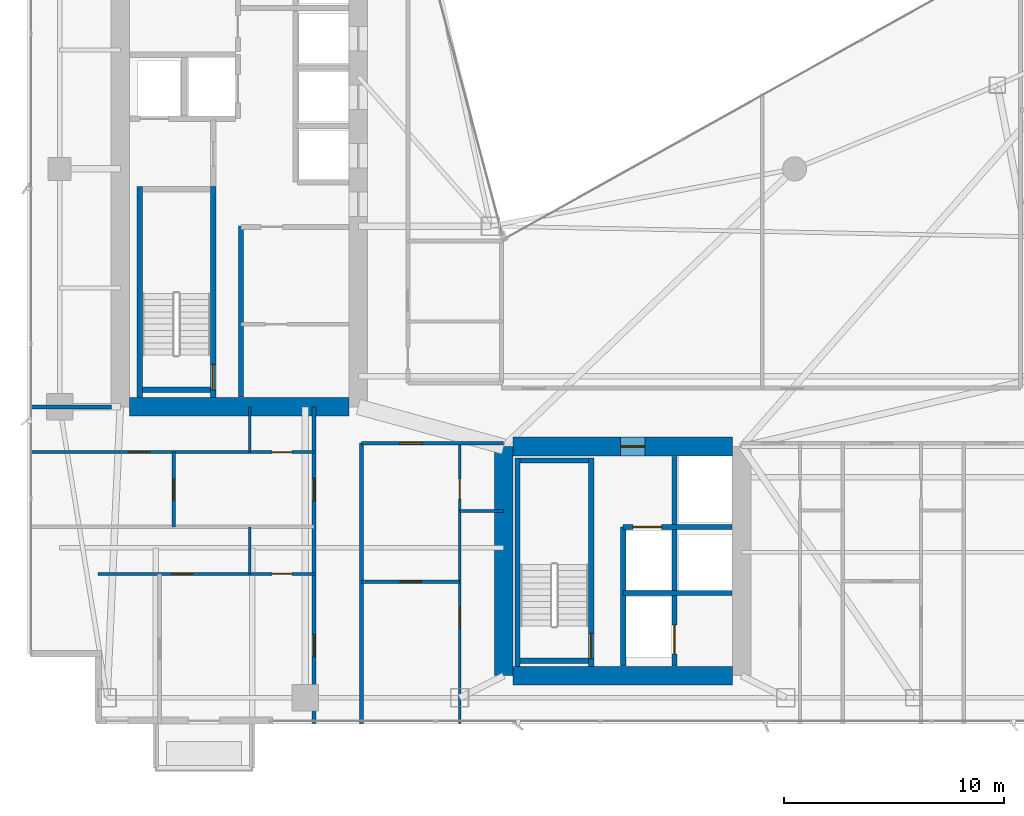
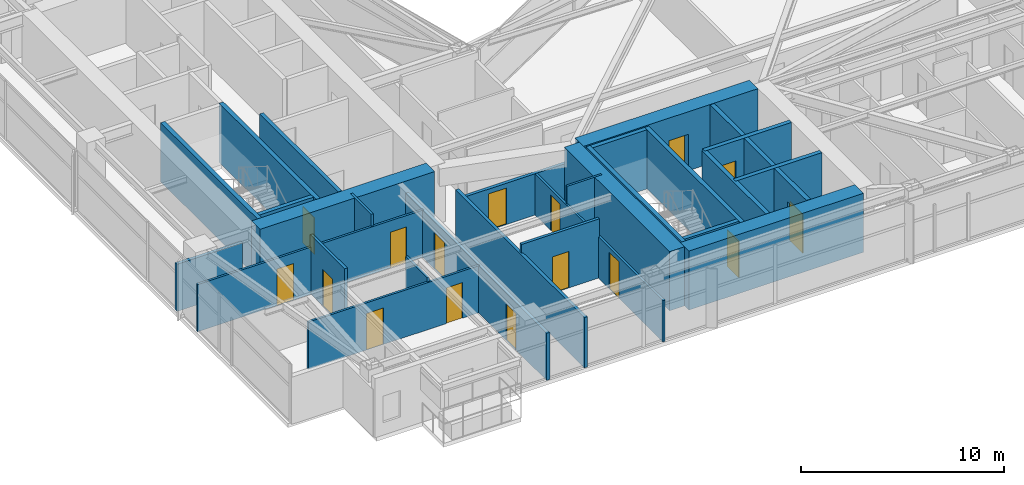
# One storey, part 22 of 29: 28 walls, 16 doors, 16 openings.
"""IFC4 building model written with IfcOpenShell, lengths in metres."""

from ifc_helpers import new_model, si_unit, direction, frame, frame_2d, origin, place, context, subcontext, project, spatial, rectangle, extrude, material, layer, layer_set, type_object, element, fill, save


model = new_model("IFC4")

# Units and contexts
model_context = context("Model", 3, precision=1e-05, world=origin(), true_north=direction((0.0, 1.0)))
body_context = subcontext(model_context, "Body", "Model", "MODEL_VIEW")
ifc_project = project(units=[si_unit("LENGTHUNIT", "METRE"), si_unit("AREAUNIT", "SQUARE_METRE"), si_unit("VOLUMEUNIT", "CUBIC_METRE"), si_unit("PLANEANGLEUNIT", "RADIAN"), si_unit("MASSUNIT", "GRAM", prefix="KILO")], contexts=[model_context])

# Site, building, storey
site_placement = place(None, origin())
site = spatial("IfcSite", under=ifc_project, at=site_placement, CompositionType="ELEMENT")
building_placement = place(site_placement, origin())
building = spatial("IfcBuilding", under=site, at=building_placement, Name="Calvorn Quay Hotel", CompositionType="ELEMENT")
storey_placement = place(building_placement, frame((0.0, 0.0, 105.0)))
storey = spatial("IfcBuildingStorey", under=building, at=storey_placement, Name="L25", CompositionType="ELEMENT", Elevation=105.0)

# Walls
ifc_material_1 = material(Name="Concrete C50", Category="concrete")
ifc_layer_1 = layer(ifc_material_1, 0.85009765625)
ifc_layer_set_1 = layer_set([ifc_layer_1], Name="WL-CORE-850")
wall_type_1 = type_object("IfcWallType", Name="WL-CORE-850", PredefinedType="SHEAR", material=ifc_layer_set_1)
wall_1_placement = place(storey_placement, frame((4.625, 16.800048828125, 0.0), z_axis=(0.0, 0.0, 1.0), x_axis=(1.0, 0.0, 0.0)))
element("IfcWall", 1, at=wall_1_placement, inside=storey, type_object=wall_type_1, Name="West Core Shear Wall S (L25)", PredefinedType="SHEAR", context=body_context, shape_type="SweptSolid", body=[
    extrude(rectangle(XDim=9.949951171875, YDim=0.85009765625, at=frame_2d((4.97509765625, 0.0))), origin(), (0.0, 0.0, 1.0), 3.56005859375),
])
wall_2_placement = place(storey_placement, frame((21.60009765625, 4.60009765625, 0.0), z_axis=(0.0, 0.0, 1.0), x_axis=(0.0, 1.0, 0.0)))
element("IfcWall", 2, at=wall_2_placement, inside=storey, type_object=wall_type_1, Name="East Core Shear Wall W (L25)", PredefinedType="SHEAR", context=body_context, shape_type="SweptSolid", body=[
    extrude(rectangle(XDim=10.39990234375, YDim=0.85009765625, at=frame_2d((5.199951171875, 0.0))), origin(), (0.0, 0.0, 1.0), 3.56005859375),
])

# Wall, opening, door
wall_3_placement = place(storey_placement, frame((22.02490234375, 15.0, 0.0), z_axis=(0.0, 0.0, 1.0), x_axis=(1.0, 0.0, 0.0)))
wall_3 = element("IfcWall", 3, at=wall_3_placement, inside=storey, type_object=wall_type_1, Name="East Core Shear Wall N (L25)", PredefinedType="SHEAR", context=body_context, shape_type="SweptSolid", body=[
    extrude(rectangle(XDim=9.9501953125, YDim=0.85009765625, at=frame_2d((4.97509765625, 0.0))), origin(), (0.0, 0.0, 1.0), 3.56005859375),
])
opening_1_placement = place(wall_3_placement, frame((4.8798828125, 0.0, 0.0)))
opening_1 = element("IfcOpeningElement", 4, at=opening_1_placement, cuts=wall_3, Name="Opening D-L25-FLE", PredefinedType="OPENING", context=body_context, shape_type="SweptSolid", body=[
    extrude(rectangle(XDim=1.10009765625, YDim=2.199951171875, at=frame_2d((0.550048828125, 1.10009765625))), frame((0.0, 0.43505859375, 0.0), z_axis=(0.0, -1.0, 0.0), x_axis=(1.0, 0.0, 0.0)), (0.0, 0.0, 1.0), 0.8701171875),
])
ifc_material_2 = material(Name="Smoke-Sealed Steel Class A Fire Door", Category="steel")
door_type_1 = type_object("IfcDoorType", Name="DR-FFLOBBY-1100", OperationType="NOTDEFINED", PredefinedType="DOOR", material=ifc_material_2)
door_1_placement = place(opening_1_placement, origin())
door_1 = element("IfcDoor", 5, at=door_1_placement, inside=storey, type_object=door_type_1, Name="East Firefighting Lobby Fire Door (L25)", OperationType="SINGLE_SWING_LEFT", OverallHeight=2.199951171875, OverallWidth=1.10009765625, PredefinedType="DOOR", context=body_context, shape_type="SweptSolid", body=[
    extrude(rectangle(XDim=1.10009765625, YDim=2.199951171875, at=frame_2d((0.550048828125, 1.10009765625))), frame((0.0, 0.02490234375, 0.0), z_axis=(0.0, -1.0, 0.0), x_axis=(1.0, 0.0, 0.0)), (0.0, 0.0, 1.0), 0.050048828125),
])
fill(opening_1, door_1)

# Walls
wall_4_placement = place(storey_placement, frame((22.02490234375, 4.60009765625, 0.0), z_axis=(0.0, 0.0, 1.0), x_axis=(1.0, 0.0, 0.0)))
element("IfcWall", 6, at=wall_4_placement, inside=storey, type_object=wall_type_1, Name="East Core Shear Wall S (L25)", PredefinedType="SHEAR", context=body_context, shape_type="SweptSolid", body=[
    extrude(rectangle(XDim=9.9501953125, YDim=0.85009765625, at=frame_2d((4.97509765625, 0.0))), origin(), (0.0, 0.0, 1.0), 3.56005859375),
])
ifc_material_3 = material(Name="Acoustic Fireboard Steel-Stud Partition", Category="steel")
ifc_layer_2 = layer(ifc_material_3, 0.179931640625)
ifc_layer_set_2 = layer_set([ifc_layer_2], Name="WL-CORR-FIRE-180")
wall_type_2 = type_object("IfcWallType", Name="WL-CORR-FIRE-180", PredefinedType="PARTITIONING", material=ifc_layer_set_2)
wall_5_placement = place(storey_placement, frame((0.080078125, 16.800048828125, 0.0), z_axis=(0.0, 0.0, 1.0), x_axis=(1.0, 0.0, 0.0)))
element("IfcWall", 7, at=wall_5_placement, inside=storey, type_object=wall_type_2, Name="Partition Wall L25-WL-WBAY-S-WALL", PredefinedType="PARTITIONING", context=body_context, shape_type="SweptSolid", body=[
    extrude(rectangle(XDim=3.724853515625, YDim=0.179931640625, at=frame_2d((1.8623046875, 0.0))), origin(), (0.0, 0.0, 1.0), 2.840087890625),
])

# Wall, openings, doors
wall_6_placement = place(storey_placement, frame((13.0, 2.43994140625, 0.0), z_axis=(0.0, 0.0, 1.0), x_axis=(0.0, 1.0, 0.0)))
wall_6 = element("IfcWall", 8, at=wall_6_placement, inside=storey, type_object=wall_type_2, Name="Partition Wall L25-WL-CORR-SW-LEG-W", PredefinedType="PARTITIONING", context=body_context, shape_type="SweptSolid", body=[
    extrude(rectangle(XDim=14.360107421875, YDim=0.179931640625, at=frame_2d((7.18017578125, 0.0))), origin(), (0.0, 0.0, 1.0), 2.840087890625),
])
opening_2_placement = place(wall_6_placement, frame((3.010009765625, 0.0, 0.0)))
opening_2 = element("IfcOpeningElement", 9, at=opening_2_placement, cuts=wall_6, Name="Opening D-L25-U01", PredefinedType="OPENING", context=body_context, shape_type="SweptSolid", body=[
    extrude(rectangle(XDim=1.02001953125, YDim=2.199951171875, at=frame_2d((0.510009765625, 1.10009765625))), frame((0.0, 0.099853515625, 0.0), z_axis=(0.0, -1.0, 0.0), x_axis=(1.0, 0.0, 0.0)), (0.0, 0.0, 1.0), 0.199951171875),
])
opening_3_placement = place(wall_6_placement, frame((10.10009765625, 0.0, 0.0)))
opening_3 = element("IfcOpeningElement", 10, at=opening_3_placement, cuts=wall_6, Name="Opening D-L25-U02", PredefinedType="OPENING", context=body_context, shape_type="SweptSolid", body=[
    extrude(rectangle(XDim=1.02001953125, YDim=2.199951171875, at=frame_2d((0.510009765625, 1.10009765625))), frame((0.0, 0.099853515625, 0.0), z_axis=(0.0, -1.0, 0.0), x_axis=(1.0, 0.0, 0.0)), (0.0, 0.0, 1.0), 0.199951171875),
])
ifc_material_4 = material(Name="Solid-Core Walnut Veneer Hotel Fire Door")
door_type_2 = type_object("IfcDoorType", Name="DR-GUEST-ENTRY-1020", OperationType="NOTDEFINED", PredefinedType="DOOR", material=ifc_material_4)
door_2_placement = place(opening_2_placement, origin())
door_2 = element("IfcDoor", 11, at=door_2_placement, inside=storey, type_object=door_type_2, Name="South-West Unit Door U01 (L25)", OperationType="SINGLE_SWING_LEFT", OverallHeight=2.199951171875, OverallWidth=1.02001953125, PredefinedType="DOOR", context=body_context, shape_type="SweptSolid", body=[
    extrude(rectangle(XDim=1.02001953125, YDim=2.199951171875, at=frame_2d((0.510009765625, 1.10009765625))), frame((0.0, 0.02490234375, 0.0), z_axis=(0.0, -1.0, 0.0), x_axis=(1.0, 0.0, 0.0)), (0.0, 0.0, 1.0), 0.050048828125),
])
fill(opening_2, door_2)
door_3_placement = place(opening_3_placement, origin())
door_3 = element("IfcDoor", 12, at=door_3_placement, inside=storey, type_object=door_type_2, Name="South-West Unit Door U02 (L25)", OperationType="SINGLE_SWING_RIGHT", OverallHeight=2.199951171875, OverallWidth=1.02001953125, PredefinedType="DOOR", context=body_context, shape_type="SweptSolid", body=[
    extrude(rectangle(XDim=1.02001953125, YDim=2.199951171875, at=frame_2d((0.510009765625, 1.10009765625))), frame((0.0, 0.02490234375, 0.0), z_axis=(0.0, -1.0, 0.0), x_axis=(1.0, 0.0, 0.0)), (0.0, 0.0, 1.0), 0.050048828125),
])
fill(opening_3, door_3)

# Wall
wall_7_placement = place(storey_placement, frame((15.14990234375, 2.43994140625, 0.0), z_axis=(0.0, 0.0, 1.0), x_axis=(0.0, 1.0, 0.0)))
element("IfcWall", 13, at=wall_7_placement, inside=storey, type_object=wall_type_2, Name="Partition Wall L25-WL-CORR-SW-W", PredefinedType="PARTITIONING", context=body_context, shape_type="SweptSolid", body=[
    extrude(rectangle(XDim=12.7099609375, YDim=0.179931640625, at=frame_2d((6.35498046875, 0.0))), origin(), (0.0, 0.0, 1.0), 3.0400390625),
])

# Wall, opening, door
wall_8_placement = place(storey_placement, frame((15.14990234375, 15.14990234375, 0.0), z_axis=(0.0, 0.0, 1.0), x_axis=(1.0, 0.0, 0.0)))
wall_8 = element("IfcWall", 14, at=wall_8_placement, inside=storey, type_object=wall_type_2, Name="Partition Wall L25-WL-SC-CORR-S", PredefinedType="PARTITIONING", context=body_context, shape_type="SweptSolid", body=[
    extrude(rectangle(XDim=6.4501953125, YDim=0.179931640625, at=frame_2d((3.22509765625, 0.0))), origin(), (0.0, 0.0, 1.0), 2.489990234375),
])
opening_4_placement = place(wall_8_placement, frame((1.739990234375, 0.0, 0.0)))
opening_4 = element("IfcOpeningElement", 15, at=opening_4_placement, cuts=wall_8, Name="Opening D-L25-U03", PredefinedType="OPENING", context=body_context, shape_type="SweptSolid", body=[
    extrude(rectangle(XDim=1.02001953125, YDim=2.199951171875, at=frame_2d((0.510009765625, 1.10009765625))), frame((0.0, 0.099853515625, 0.0), z_axis=(0.0, -1.0, 0.0), x_axis=(1.0, 0.0, 0.0)), (0.0, 0.0, 1.0), 0.199951171875),
])
door_4_placement = place(opening_4_placement, origin())
door_4 = element("IfcDoor", 16, at=door_4_placement, inside=storey, type_object=door_type_2, Name="Harbour Central Unit Door (L25)", OperationType="SINGLE_SWING_LEFT", OverallHeight=2.199951171875, OverallWidth=1.02001953125, PredefinedType="DOOR", context=body_context, shape_type="SweptSolid", body=[
    extrude(rectangle(XDim=1.02001953125, YDim=2.199951171875, at=frame_2d((0.510009765625, 1.10009765625))), frame((0.0, 0.02490234375, 0.0), z_axis=(0.0, -1.0, 0.0), x_axis=(1.0, 0.0, 0.0)), (0.0, 0.0, 1.0), 0.050048828125),
])
fill(opening_4, door_4)

# Wall
ifc_material_5 = material(Name="Moisture-Resistant Tile-Backed Partition")
ifc_layer_3 = layer(ifc_material_5, 0.125)
ifc_layer_set_3 = layer_set([ifc_layer_3], Name="WL-ENSUITE-125")
wall_type_3 = type_object("IfcWallType", Name="WL-ENSUITE-125", PredefinedType="PARTITIONING", material=ifc_layer_set_3)
wall_9_placement = place(storey_placement, frame((10.080078125, 9.219970703125, 0.0), z_axis=(0.0, 0.0, 1.0), x_axis=(0.0, 1.0, 0.0)))
element("IfcWall", 17, at=wall_9_placement, inside=storey, type_object=wall_type_3, Name="Partition Wall L25-WL-U01-BDV", PredefinedType="PARTITIONING", context=body_context, shape_type="SweptSolid", body=[
    extrude(rectangle(XDim=2.130126953125, YDim=0.125, at=frame_2d((1.06494140625, 0.0))), origin(), (0.0, 0.0, 1.0), 3.090087890625),
])

# Wall, openings, doors
wall_10_placement = place(storey_placement, frame((3.199951171875, 9.219970703125, 0.0), z_axis=(0.0, 0.0, 1.0), x_axis=(1.0, 0.0, 0.0)))
wall_10 = element("IfcWall", 18, at=wall_10_placement, inside=storey, type_object=wall_type_3, Name="Partition Wall L25-WL-U01-BH", PredefinedType="PARTITIONING", context=body_context, shape_type="SweptSolid", body=[
    extrude(rectangle(XDim=9.800048828125, YDim=0.125, at=frame_2d((4.89990234375, 0.0))), origin(), (0.0, 0.0, 1.0), 2.840087890625),
])
opening_5_placement = place(wall_10_placement, frame((3.320068359375, 0.0, 0.0)))
opening_5 = element("IfcOpeningElement", 19, at=opening_5_placement, cuts=wall_10, Name="Opening D-L25-S01", PredefinedType="OPENING", context=body_context, shape_type="SweptSolid", body=[
    extrude(rectangle(XDim=0.9599609375, YDim=2.199951171875, at=frame_2d((0.47998046875, 1.10009765625))), frame((0.0, 0.072509765625, 0.0), z_axis=(0.0, -1.0, 0.0), x_axis=(1.0, 0.0, 0.0)), (0.0, 0.0, 1.0), 0.14501953125),
])
opening_6_placement = place(wall_10_placement, frame((7.889892578125, 0.0, 0.0)))
opening_6 = element("IfcOpeningElement", 20, at=opening_6_placement, cuts=wall_10, Name="Opening D-L25-E01", PredefinedType="OPENING", context=body_context, shape_type="SweptSolid", body=[
    extrude(rectangle(XDim=0.89990234375, YDim=2.14990234375, at=frame_2d((0.449951171875, 1.074951171875))), frame((0.0, 0.072509765625, 0.0), z_axis=(0.0, -1.0, 0.0), x_axis=(1.0, 0.0, 0.0)), (0.0, 0.0, 1.0), 0.14501953125),
])
ifc_material_6 = material(Name="Moisture-Sealed Timber En-Suite Door", Category="wood")
door_type_3 = type_object("IfcDoorType", Name="DR-ENSUITE-900", OperationType="NOTDEFINED", PredefinedType="DOOR", material=ifc_material_6)
door_5_placement = place(opening_6_placement, origin())
door_5 = element("IfcDoor", 21, at=door_5_placement, inside=storey, type_object=door_type_3, Name="En-Suite Door 01", OperationType="SINGLE_SWING_RIGHT", OverallHeight=2.14990234375, OverallWidth=0.89990234375, PredefinedType="DOOR", context=body_context, shape_type="SweptSolid", body=[
    extrude(rectangle(XDim=0.89990234375, YDim=2.14990234375, at=frame_2d((0.449951171875, 1.074951171875))), frame((0.0, 0.02490234375, 0.0), z_axis=(0.0, -1.0, 0.0), x_axis=(1.0, 0.0, 0.0)), (0.0, 0.0, 1.0), 0.050048828125),
])
fill(opening_6, door_5)
ifc_material_7 = material(Name="Solid Timber Internal Suite Door", Category="wood")
door_type_4 = type_object("IfcDoorType", Name="DR-SUITE-INT-960", OperationType="NOTDEFINED", PredefinedType="DOOR", material=ifc_material_7)
door_6_placement = place(opening_5_placement, origin())
door_6 = element("IfcDoor", 22, at=door_6_placement, inside=storey, type_object=door_type_4, Name="Harbour Dining Den Door 01", OperationType="SINGLE_SWING_LEFT", OverallHeight=2.199951171875, OverallWidth=0.9599609375, PredefinedType="DOOR", context=body_context, shape_type="SweptSolid", body=[
    extrude(rectangle(XDim=0.9599609375, YDim=2.199951171875, at=frame_2d((0.47998046875, 1.10009765625))), frame((0.0, 0.02490234375, 0.0), z_axis=(0.0, -1.0, 0.0), x_axis=(1.0, 0.0, 0.0)), (0.0, 0.0, 1.0), 0.050048828125),
])
fill(opening_5, door_6)

# Wall
wall_11_placement = place(storey_placement, frame((10.080078125, 14.75, 0.0), z_axis=(0.0, 0.0, 1.0), x_axis=(0.0, 1.0, 0.0)))
element("IfcWall", 23, at=wall_11_placement, inside=storey, type_object=wall_type_3, Name="Partition Wall L25-WL-U02-BDV", PredefinedType="PARTITIONING", context=body_context, shape_type="SweptSolid", body=[
    extrude(rectangle(XDim=2.050048828125, YDim=0.125, at=frame_2d((1.02490234375, 0.0))), origin(), (0.0, 0.0, 1.0), 3.56005859375),
])

# Wall, openings, doors
wall_12_placement = place(storey_placement, frame((0.080078125, 14.75, 0.0), z_axis=(0.0, 0.0, 1.0), x_axis=(1.0, 0.0, 0.0)))
wall_12 = element("IfcWall", 24, at=wall_12_placement, inside=storey, type_object=wall_type_3, Name="Partition Wall L25-WL-U02-BH", PredefinedType="PARTITIONING", context=body_context, shape_type="SweptSolid", body=[
    extrude(rectangle(XDim=12.919921875, YDim=0.125, at=frame_2d((6.4599609375, 0.0))), origin(), (0.0, 0.0, 1.0), 2.840087890625),
])
opening_7_placement = place(wall_12_placement, frame((4.52001953125, 0.0, 0.0)))
opening_7 = element("IfcOpeningElement", 25, at=opening_7_placement, cuts=wall_12, Name="Opening D-L25-S02", PredefinedType="OPENING", context=body_context, shape_type="SweptSolid", body=[
    extrude(rectangle(XDim=0.9599609375, YDim=2.199951171875, at=frame_2d((0.47998046875, 1.10009765625))), frame((0.0, 0.072509765625, 0.0), z_axis=(0.0, -1.0, 0.0), x_axis=(1.0, 0.0, 0.0)), (0.0, 0.0, 1.0), 0.14501953125),
])
opening_8_placement = place(wall_12_placement, frame((11.010009765625, 0.0, 0.0)))
opening_8 = element("IfcOpeningElement", 26, at=opening_8_placement, cuts=wall_12, Name="Opening D-L25-E02", PredefinedType="OPENING", context=body_context, shape_type="SweptSolid", body=[
    extrude(rectangle(XDim=0.89990234375, YDim=2.14990234375, at=frame_2d((0.449951171875, 1.074951171875))), frame((0.0, 0.072509765625, 0.0), z_axis=(0.0, -1.0, 0.0), x_axis=(1.0, 0.0, 0.0)), (0.0, 0.0, 1.0), 0.14501953125),
])
door_7_placement = place(opening_8_placement, origin())
door_7 = element("IfcDoor", 27, at=door_7_placement, inside=storey, type_object=door_type_3, Name="En-Suite Door 02", OperationType="SINGLE_SWING_RIGHT", OverallHeight=2.14990234375, OverallWidth=0.89990234375, PredefinedType="DOOR", context=body_context, shape_type="SweptSolid", body=[
    extrude(rectangle(XDim=0.89990234375, YDim=2.14990234375, at=frame_2d((0.449951171875, 1.074951171875))), frame((0.0, 0.02490234375, 0.0), z_axis=(0.0, -1.0, 0.0), x_axis=(1.0, 0.0, 0.0)), (0.0, 0.0, 1.0), 0.050048828125),
])
fill(opening_8, door_7)
door_8_placement = place(opening_7_placement, origin())
door_8 = element("IfcDoor", 28, at=door_8_placement, inside=storey, type_object=door_type_4, Name="Harbour Dining Den Door 02", OperationType="SINGLE_SWING_LEFT", OverallHeight=2.199951171875, OverallWidth=0.9599609375, PredefinedType="DOOR", context=body_context, shape_type="SweptSolid", body=[
    extrude(rectangle(XDim=0.9599609375, YDim=2.199951171875, at=frame_2d((0.47998046875, 1.10009765625))), frame((0.0, 0.02490234375, 0.0), z_axis=(0.0, -1.0, 0.0), x_axis=(1.0, 0.0, 0.0)), (0.0, 0.0, 1.0), 0.050048828125),
])
fill(opening_7, door_8)

# Wall
wall_13_placement = place(storey_placement, frame((19.60009765625, 12.070068359375, 0.0), z_axis=(0.0, 0.0, 1.0), x_axis=(1.0, 0.0, 0.0)))
element("IfcWall", 29, at=wall_13_placement, inside=storey, type_object=wall_type_3, Name="Partition Wall L25-WL-U03-BDV", PredefinedType="PARTITIONING", context=body_context, shape_type="SweptSolid", body=[
    extrude(rectangle(XDim=2.0, YDim=0.125, at=frame_2d((1.0, 0.0))), origin(), (0.0, 0.0, 1.0), 3.56005859375),
])

# Wall, openings, doors
wall_14_placement = place(storey_placement, frame((19.60009765625, 2.43994140625, 0.0), z_axis=(0.0, 0.0, 1.0), x_axis=(0.0, 1.0, 0.0)))
wall_14 = element("IfcWall", 30, at=wall_14_placement, inside=storey, type_object=wall_type_3, Name="Partition Wall L25-WL-U03-BV", PredefinedType="PARTITIONING", context=body_context, shape_type="SweptSolid", body=[
    extrude(rectangle(XDim=12.7099609375, YDim=0.125, at=frame_2d((6.35498046875, 0.0))), origin(), (0.0, 0.0, 1.0), 2.489990234375),
])
opening_9_placement = place(wall_14_placement, frame((4.340087890625, 0.0, 0.0)))
opening_9 = element("IfcOpeningElement", 31, at=opening_9_placement, cuts=wall_14, Name="Opening D-L25-S03", PredefinedType="OPENING", context=body_context, shape_type="SweptSolid", body=[
    extrude(rectangle(XDim=0.9599609375, YDim=2.199951171875, at=frame_2d((0.47998046875, 1.10009765625))), frame((0.0, 0.072509765625, 0.0), z_axis=(0.0, -1.0, 0.0), x_axis=(1.0, 0.0, 0.0)), (0.0, 0.0, 1.0), 0.14501953125),
])
opening_10_placement = place(wall_14_placement, frame((10.179931640625, 0.0, 0.0)))
opening_10 = element("IfcOpeningElement", 32, at=opening_10_placement, cuts=wall_14, Name="Opening D-L25-E03", PredefinedType="OPENING", context=body_context, shape_type="SweptSolid", body=[
    extrude(rectangle(XDim=0.89990234375, YDim=2.14990234375, at=frame_2d((0.449951171875, 1.074951171875))), frame((0.0, 0.072509765625, 0.0), z_axis=(0.0, -1.0, 0.0), x_axis=(1.0, 0.0, 0.0)), (0.0, 0.0, 1.0), 0.14501953125),
])
door_9_placement = place(opening_10_placement, origin())
door_9 = element("IfcDoor", 33, at=door_9_placement, inside=storey, type_object=door_type_3, Name="En-Suite Door 03", OperationType="SINGLE_SWING_RIGHT", OverallHeight=2.14990234375, OverallWidth=0.89990234375, PredefinedType="DOOR", context=body_context, shape_type="SweptSolid", body=[
    extrude(rectangle(XDim=0.89990234375, YDim=2.14990234375, at=frame_2d((0.449951171875, 1.074951171875))), frame((0.0, 0.02490234375, 0.0), z_axis=(0.0, -1.0, 0.0), x_axis=(1.0, 0.0, 0.0)), (0.0, 0.0, 1.0), 0.050048828125),
])
fill(opening_10, door_9)
door_10_placement = place(opening_9_placement, origin())
door_10 = element("IfcDoor", 34, at=door_10_placement, inside=storey, type_object=door_type_4, Name="Harbour Dining Den Door 03", OperationType="SINGLE_SWING_LEFT", OverallHeight=2.199951171875, OverallWidth=0.9599609375, PredefinedType="DOOR", context=body_context, shape_type="SweptSolid", body=[
    extrude(rectangle(XDim=0.9599609375, YDim=2.199951171875, at=frame_2d((0.47998046875, 1.10009765625))), frame((0.0, 0.02490234375, 0.0), z_axis=(0.0, -1.0, 0.0), x_axis=(1.0, 0.0, 0.0)), (0.0, 0.0, 1.0), 0.050048828125),
])
fill(opening_9, door_10)

# Wall, opening, door
ifc_material_8 = material(Name="Double-Stud Acoustic Gypsum Partition")
ifc_layer_4 = layer(ifc_material_8, 0.159912109375)
ifc_layer_set_4 = layer_set([ifc_layer_4], Name="WL-INTERSUITE-160")
wall_type_4 = type_object("IfcWallType", Name="WL-INTERSUITE-160", PredefinedType="PARTITIONING", material=ifc_layer_set_4)
wall_15_placement = place(storey_placement, frame((6.6201171875, 11.35009765625, 0.0), z_axis=(0.0, 0.0, 1.0), x_axis=(0.0, 1.0, 0.0)))
wall_15 = element("IfcWall", 35, at=wall_15_placement, inside=storey, type_object=wall_type_4, Name="Partition Wall L25-WL-U02-MSP", PredefinedType="PARTITIONING", context=body_context, shape_type="SweptSolid", body=[
    extrude(rectangle(XDim=3.39990234375, YDim=0.159912109375, at=frame_2d((1.699951171875, 0.0))), origin(), (0.0, 0.0, 1.0), 3.56005859375),
])
opening_11_placement = place(wall_15_placement, frame((1.219970703125, 0.0, 0.0)))
opening_11 = element("IfcOpeningElement", 36, at=opening_11_placement, cuts=wall_15, Name="Opening D-L25-M02", PredefinedType="OPENING", context=body_context, shape_type="SweptSolid", body=[
    extrude(rectangle(XDim=0.9599609375, YDim=2.199951171875, at=frame_2d((0.47998046875, 1.10009765625))), frame((0.0, 0.08984375, 0.0), z_axis=(0.0, -1.0, 0.0), x_axis=(1.0, 0.0, 0.0)), (0.0, 0.0, 1.0), 0.179931640625),
])
door_11_placement = place(opening_11_placement, origin())
door_11 = element("IfcDoor", 37, at=door_11_placement, inside=storey, type_object=door_type_4, Name="Suite Bedroom Door 02", OperationType="SINGLE_SWING_LEFT", OverallHeight=2.199951171875, OverallWidth=0.9599609375, PredefinedType="DOOR", context=body_context, shape_type="SweptSolid", body=[
    extrude(rectangle(XDim=0.9599609375, YDim=2.199951171875, at=frame_2d((0.47998046875, 1.10009765625))), frame((0.0, 0.02490234375, 0.0), z_axis=(0.0, -1.0, 0.0), x_axis=(1.0, 0.0, 0.0)), (0.0, 0.0, 1.0), 0.050048828125),
])
fill(opening_11, door_11)

wall_16_placement = place(storey_placement, frame((15.14990234375, 8.8701171875, 0.0), z_axis=(0.0, 0.0, 1.0), x_axis=(1.0, 0.0, 0.0)))
wall_16 = element("IfcWall", 38, at=wall_16_placement, inside=storey, type_object=wall_type_4, Name="Partition Wall L25-WL-U03-MSP", PredefinedType="PARTITIONING", context=body_context, shape_type="SweptSolid", body=[
    extrude(rectangle(XDim=4.4501953125, YDim=0.159912109375, at=frame_2d((2.22509765625, 0.0))), origin(), (0.0, 0.0, 1.0), 3.56005859375),
])
opening_12_placement = place(wall_16_placement, frame((1.75, 0.0, 0.0)))
opening_12 = element("IfcOpeningElement", 39, at=opening_12_placement, cuts=wall_16, Name="Opening D-L25-M03", PredefinedType="OPENING", context=body_context, shape_type="SweptSolid", body=[
    extrude(rectangle(XDim=0.9599609375, YDim=2.199951171875, at=frame_2d((0.47998046875, 1.10009765625))), frame((0.0, 0.08984375, 0.0), z_axis=(0.0, -1.0, 0.0), x_axis=(1.0, 0.0, 0.0)), (0.0, 0.0, 1.0), 0.179931640625),
])
door_12_placement = place(opening_12_placement, origin())
door_12 = element("IfcDoor", 40, at=door_12_placement, inside=storey, type_object=door_type_4, Name="Suite Bedroom Door 03", OperationType="SINGLE_SWING_LEFT", OverallHeight=2.199951171875, OverallWidth=0.9599609375, PredefinedType="DOOR", context=body_context, shape_type="SweptSolid", body=[
    extrude(rectangle(XDim=0.9599609375, YDim=2.199951171875, at=frame_2d((0.47998046875, 1.10009765625))), frame((0.0, 0.02490234375, 0.0), z_axis=(0.0, -1.0, 0.0), x_axis=(1.0, 0.0, 0.0)), (0.0, 0.0, 1.0), 0.050048828125),
])
fill(opening_12, door_12)

# Walls
ifc_material_9 = material(Name="Autoclaved Aerated Masonry Block", Category="masonry")
ifc_layer_5 = layer(ifc_material_9, 0.219970703125)
ifc_layer_set_5 = layer_set([ifc_layer_5], Name="WL-LOBBY-FIRE-220")
wall_type_5 = type_object("IfcWallType", Name="WL-LOBBY-FIRE-220", PredefinedType="SOLIDWALL", material=ifc_layer_set_5)
wall_17_placement = place(storey_placement, frame((9.679931640625, 17.2451171875, 0.0), z_axis=(0.0, 0.0, 1.0), x_axis=(0.0, 1.0, 0.0)))
element("IfcWall", 41, at=wall_17_placement, inside=storey, type_object=wall_type_5, Name="Partition Wall L25-WL-CWW-STW-HALL-E", PredefinedType="SOLIDWALL", context=body_context, shape_type="SweptSolid", body=[
    extrude(rectangle(XDim=7.7548828125, YDim=0.219970703125, at=frame_2d((3.87744140625, 0.0))), origin(), (0.0, 0.0, 1.0), 3.56005859375),
])
ifc_material_10 = material(Name="Concrete C40", Category="concrete")
ifc_layer_6 = layer(ifc_material_10, 0.239990234375)
ifc_layer_set_6 = layer_set([ifc_layer_6], Name="WL-SHAFT-240")
wall_type_6 = type_object("IfcWallType", Name="WL-SHAFT-240", PredefinedType="SOLIDWALL", material=ifc_layer_set_6)
wall_18_placement = place(storey_placement, frame((5.080078125, 17.22509765625, 0.0), z_axis=(0.0, 0.0, 1.0), x_axis=(0.0, 1.0, 0.0)))
element("IfcWall", 42, at=wall_18_placement, inside=storey, type_object=wall_type_6, Name="Stair STW Shaft Wall W (L25)", PredefinedType="SOLIDWALL", context=body_context, shape_type="SweptSolid", body=[
    extrude(rectangle(XDim=9.56494140625, YDim=0.239990234375, at=frame_2d((4.782470703125, 0.0))), origin(), (0.0, 0.0, 1.0), 3.56005859375),
])

# Wall, opening, door
wall_19_placement = place(storey_placement, frame((8.419921875, 17.22509765625, 0.0), z_axis=(0.0, 0.0, 1.0), x_axis=(0.0, 1.0, 0.0)))
wall_19 = element("IfcWall", 43, at=wall_19_placement, inside=storey, type_object=wall_type_6, Name="Stair STW Shaft Wall E (L25)", PredefinedType="SOLIDWALL", context=body_context, shape_type="SweptSolid", body=[
    extrude(rectangle(XDim=9.56494140625, YDim=0.239990234375, at=frame_2d((4.782470703125, 0.0))), origin(), (0.0, 0.0, 1.0), 3.56005859375),
])
opening_13_placement = place(wall_19_placement, frame((0.35009765625, 0.0, 0.0)))
opening_13 = element("IfcOpeningElement", 44, at=opening_13_placement, cuts=wall_19, Name="Opening D-L25-STW", PredefinedType="OPENING", context=body_context, shape_type="SweptSolid", body=[
    extrude(rectangle(XDim=1.14990234375, YDim=2.199951171875, at=frame_2d((0.574951171875, 1.10009765625))), frame((0.0, 0.1298828125, 0.0), z_axis=(0.0, -1.0, 0.0), x_axis=(1.0, 0.0, 0.0)), (0.0, 0.0, 1.0), 0.260009765625),
])
ifc_material_11 = material(Name="Galvanised Steel Class A Fire Door", Category="steel")
door_type_5 = type_object("IfcDoorType", Name="DR-STAIR-SMOKE-1150", OperationType="NOTDEFINED", PredefinedType="DOOR", material=ifc_material_11)
door_13_placement = place(opening_13_placement, origin())
door_13 = element("IfcDoor", 45, at=door_13_placement, inside=storey, type_object=door_type_5, Name="Stair ST-W Fire Door (L25)", OperationType="SINGLE_SWING_LEFT", OverallHeight=2.199951171875, OverallWidth=1.14990234375, PredefinedType="DOOR", context=body_context, shape_type="SweptSolid", body=[
    extrude(rectangle(XDim=1.14990234375, YDim=2.199951171875, at=frame_2d((0.574951171875, 1.10009765625))), frame((0.0, 0.02490234375, 0.0), z_axis=(0.0, -1.0, 0.0), x_axis=(1.0, 0.0, 0.0)), (0.0, 0.0, 1.0), 0.050048828125),
])
fill(opening_13, door_13)

# Walls
wall_20_placement = place(storey_placement, frame((5.199951171875, 17.580078125, 0.0), z_axis=(0.0, 0.0, 1.0), x_axis=(1.0, 0.0, 0.0)))
element("IfcWall", 46, at=wall_20_placement, inside=storey, type_object=wall_type_6, Name="Stair STW Shaft Wall S (L25)", PredefinedType="SOLIDWALL", context=body_context, shape_type="SweptSolid", body=[
    extrude(rectangle(XDim=3.10009765625, YDim=0.239990234375, at=frame_2d((1.550048828125, 0.0))), origin(), (0.0, 0.0, 1.0), 3.56005859375),
])
wall_21_placement = place(storey_placement, frame((22.22998046875, 5.02490234375, 0.0), z_axis=(0.0, 0.0, 1.0), x_axis=(0.0, 1.0, 0.0)))
element("IfcWall", 47, at=wall_21_placement, inside=storey, type_object=wall_type_6, Name="Stair STE Shaft Wall W (L25)", PredefinedType="SOLIDWALL", context=body_context, shape_type="SweptSolid", body=[
    extrude(rectangle(XDim=9.465087890625, YDim=0.239990234375, at=frame_2d((4.732421875, 0.0))), origin(), (0.0, 0.0, 1.0), 3.56005859375),
])

# Wall, opening, door
wall_22_placement = place(storey_placement, frame((25.570068359375, 5.02490234375, 0.0), z_axis=(0.0, 0.0, 1.0), x_axis=(0.0, 1.0, 0.0)))
wall_22 = element("IfcWall", 48, at=wall_22_placement, inside=storey, type_object=wall_type_6, Name="Stair STE Shaft Wall E (L25)", PredefinedType="SOLIDWALL", context=body_context, shape_type="SweptSolid", body=[
    extrude(rectangle(XDim=9.465087890625, YDim=0.239990234375, at=frame_2d((4.732421875, 0.0))), origin(), (0.0, 0.0, 1.0), 3.56005859375),
])
opening_14_placement = place(wall_22_placement, frame((0.35009765625, 0.0, 0.0)))
opening_14 = element("IfcOpeningElement", 49, at=opening_14_placement, cuts=wall_22, Name="Opening D-L25-STE", PredefinedType="OPENING", context=body_context, shape_type="SweptSolid", body=[
    extrude(rectangle(XDim=1.14990234375, YDim=2.199951171875, at=frame_2d((0.574951171875, 1.10009765625))), frame((0.0, 0.1298828125, 0.0), z_axis=(0.0, -1.0, 0.0), x_axis=(1.0, 0.0, 0.0)), (0.0, 0.0, 1.0), 0.260009765625),
])
door_14_placement = place(opening_14_placement, origin())
door_14 = element("IfcDoor", 50, at=door_14_placement, inside=storey, type_object=door_type_5, Name="Stair ST-E Fire Door (L25)", OperationType="SINGLE_SWING_RIGHT", OverallHeight=2.199951171875, OverallWidth=1.14990234375, PredefinedType="DOOR", context=body_context, shape_type="SweptSolid", body=[
    extrude(rectangle(XDim=1.14990234375, YDim=2.199951171875, at=frame_2d((0.574951171875, 1.10009765625))), frame((0.0, 0.02490234375, 0.0), z_axis=(0.0, -1.0, 0.0), x_axis=(1.0, 0.0, 0.0)), (0.0, 0.0, 1.0), 0.050048828125),
])
fill(opening_14, door_14)

# Walls
for number, where, z_axis, x_axis, name in (
    (51, (22.35009765625, 5.280029296875, 0.0), (0.0, 0.0, 1.0), (1.0, 0.0, 0.0), "Stair STE Shaft Wall S (L25)"),
    (52, (22.35009765625, 14.3701171875, 0.0), (0.0, 0.0, 1.0), (1.0, 0.0, 0.0), "Stair STE Shaft Wall N (L25)"),
):
    element("IfcWall", number, at=place(storey_placement, frame(where, z_axis=z_axis, x_axis=x_axis)), inside=storey, type_object=wall_type_6, Name=name, PredefinedType="SOLIDWALL", context=body_context, shape_type="SweptSolid", body=[
        extrude(rectangle(XDim=3.099853515625, YDim=0.239990234375, at=frame_2d((1.5498046875, 0.0))), origin(), (0.0, 0.0, 1.0), 3.56005859375),
    ])
wall_23_placement = place(storey_placement, frame((27.02001953125, 5.044921875, 0.0), z_axis=(0.0, 0.0, 1.0), x_axis=(0.0, 1.0, 0.0)))
element("IfcWall", 53, at=wall_23_placement, inside=storey, type_object=wall_type_6, Name="Partition Wall L25-WL-CWE-SH-W", PredefinedType="SOLIDWALL", context=body_context, shape_type="SweptSolid", body=[
    extrude(rectangle(XDim=6.30517578125, YDim=0.239990234375, at=frame_2d((3.152587890625, 0.0))), origin(), (0.0, 0.0, 1.0), 3.56005859375),
])

# Wall, opening, door
wall_24_placement = place(storey_placement, frame((27.02001953125, 11.35009765625, 0.0), z_axis=(0.0, 0.0, 1.0), x_axis=(1.0, 0.0, 0.0)))
wall_24 = element("IfcWall", 54, at=wall_24_placement, inside=storey, type_object=wall_type_6, Name="Partition Wall L25-WL-CWE-FFL-S", PredefinedType="SOLIDWALL", context=body_context, shape_type="SweptSolid", body=[
    extrude(rectangle(XDim=4.93505859375, YDim=0.239990234375, at=frame_2d((2.467529296875, 0.0))), origin(), (0.0, 0.0, 1.0), 3.56005859375),
])
opening_15_placement = place(wall_24_placement, frame((0.449951171875, 0.0, 0.0)))
opening_15 = element("IfcOpeningElement", 55, at=opening_15_placement, cuts=wall_24, Name="Opening LD-L25-FLE1", PredefinedType="OPENING", context=body_context, shape_type="SweptSolid", body=[
    extrude(rectangle(XDim=1.300048828125, YDim=2.35009765625, at=frame_2d((0.64990234375, 1.175048828125))), frame((0.0, 0.1298828125, 0.0), z_axis=(0.0, -1.0, 0.0), x_axis=(1.0, 0.0, 0.0)), (0.0, 0.0, 1.0), 0.260009765625),
])
ifc_material_12 = material(Name="Champagne-Bronze Sliding Express Lift Landing Door")
door_type_6 = type_object("IfcDoorType", Name="DR-LIFT-SHUTTLE-1300", OperationType="NOTDEFINED", PredefinedType="DOOR", material=ifc_material_12)
door_15_placement = place(opening_15_placement, origin())
door_15 = element("IfcDoor", 56, at=door_15_placement, inside=storey, type_object=door_type_6, Name="Firefighting Lift FL-E1 Landing Door (L25)", OperationType="DOUBLE_DOOR_SLIDING", OverallHeight=2.35009765625, OverallWidth=1.300048828125, PredefinedType="DOOR", context=body_context, shape_type="SweptSolid", body=[
    extrude(rectangle(XDim=1.300048828125, YDim=2.35009765625, at=frame_2d((0.64990234375, 1.175048828125))), frame((0.0, 0.02490234375, 0.0), z_axis=(0.0, -1.0, 0.0), x_axis=(1.0, 0.0, 0.0)), (0.0, 0.0, 1.0), 0.050048828125),
])
fill(opening_15, door_15)

# Wall
wall_25_placement = place(storey_placement, frame((27.02001953125, 8.35009765625, 0.0), z_axis=(0.0, 0.0, 1.0), x_axis=(1.0, 0.0, 0.0)))
element("IfcWall", 57, at=wall_25_placement, inside=storey, type_object=wall_type_6, Name="Partition Wall L25-WL-CWE-SL-N", PredefinedType="SOLIDWALL", context=body_context, shape_type="SweptSolid", body=[
    extrude(rectangle(XDim=4.93505859375, YDim=0.239990234375, at=frame_2d((2.467529296875, 0.0))), origin(), (0.0, 0.0, 1.0), 3.56005859375),
])

# Wall, opening, door
wall_26_placement = place(storey_placement, frame((29.35009765625, 5.044921875, 0.0), z_axis=(0.0, 0.0, 1.0), x_axis=(0.0, 1.0, 0.0)))
wall_26 = element("IfcWall", 58, at=wall_26_placement, inside=storey, type_object=wall_type_6, Name="Partition Wall L25-WL-CWE-OB-W", PredefinedType="SOLIDWALL", context=body_context, shape_type="SweptSolid", body=[
    extrude(rectangle(XDim=9.510009765625, YDim=0.239990234375, at=frame_2d((4.7548828125, 0.0))), origin(), (0.0, 0.0, 1.0), 3.56005859375),
])
opening_16_placement = place(wall_26_placement, frame((0.550048828125, 0.0, 0.0)))
opening_16 = element("IfcOpeningElement", 59, at=opening_16_placement, cuts=wall_26, Name="Opening LD-L25-SLEI", PredefinedType="OPENING", context=body_context, shape_type="SweptSolid", body=[
    extrude(rectangle(XDim=1.300048828125, YDim=2.35009765625, at=frame_2d((0.64990234375, 1.175048828125))), frame((0.0, 0.1298828125, 0.0), z_axis=(0.0, -1.0, 0.0), x_axis=(1.0, 0.0, 0.0)), (0.0, 0.0, 1.0), 0.260009765625),
])
door_16_placement = place(opening_16_placement, origin())
door_16 = element("IfcDoor", 60, at=door_16_placement, inside=storey, type_object=door_type_6, Name="Service Lift SL-E1 Landing Door (L25)", OperationType="DOUBLE_DOOR_SLIDING", OverallHeight=2.35009765625, OverallWidth=1.300048828125, PredefinedType="DOOR", context=body_context, shape_type="SweptSolid", body=[
    extrude(rectangle(XDim=1.300048828125, YDim=2.35009765625, at=frame_2d((0.64990234375, 1.175048828125))), frame((0.0, 0.02490234375, 0.0), z_axis=(0.0, -1.0, 0.0), x_axis=(1.0, 0.0, 0.0)), (0.0, 0.0, 1.0), 0.050048828125),
])
fill(opening_16, door_16)

save(model, "model.ifc")
